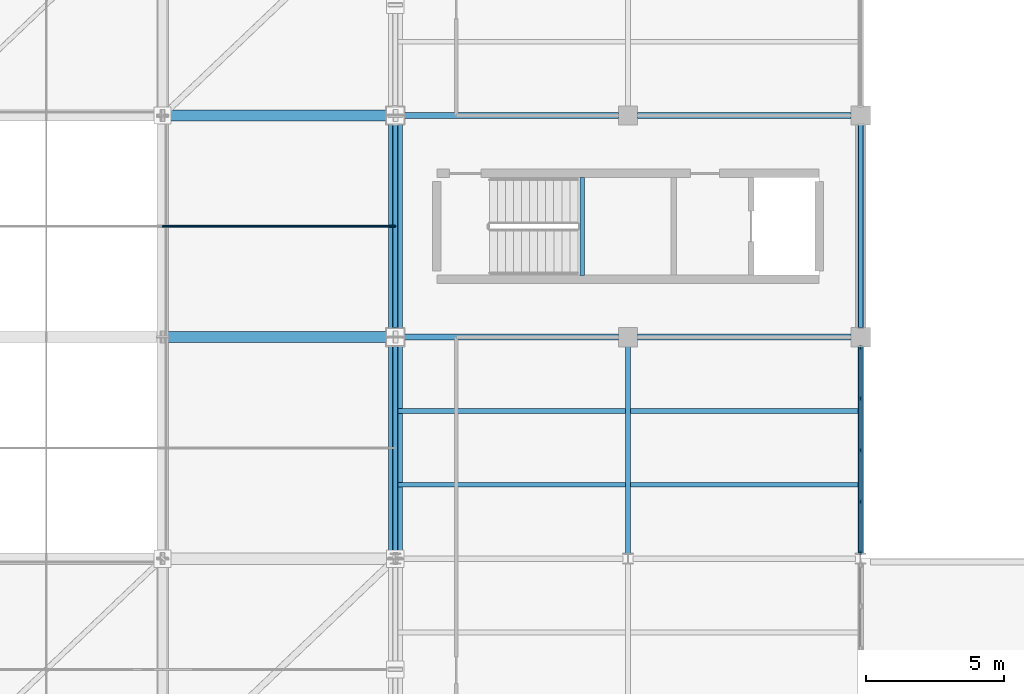
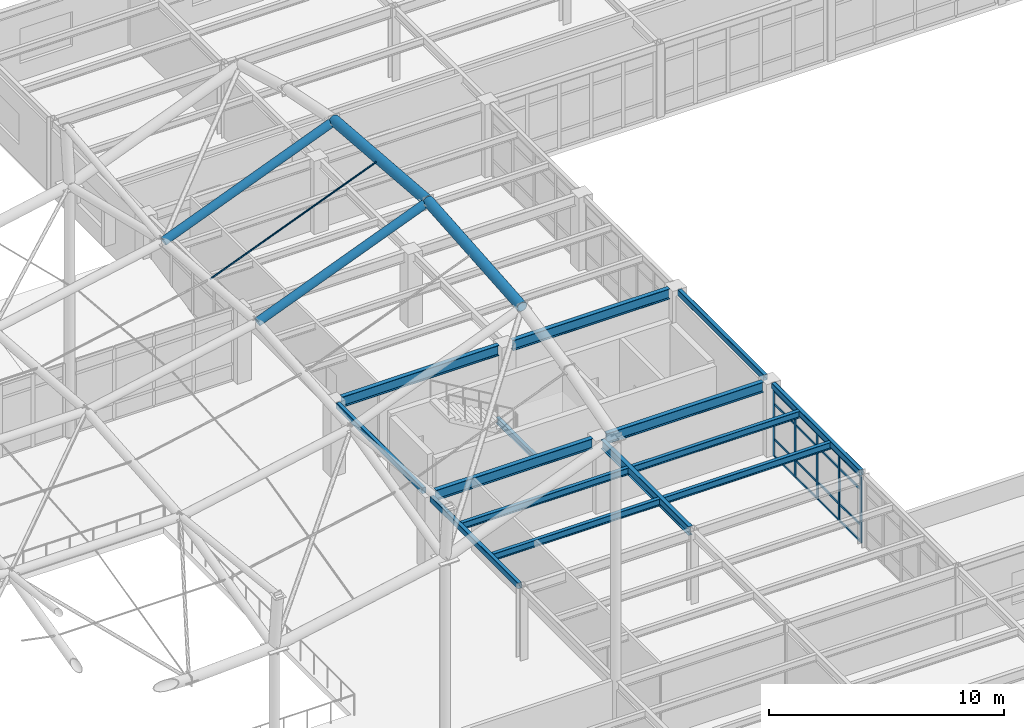
# One storey, part 46 of 138: 22 members, 18 beams, 1 element without a shape of its own.
"""IFC4 building model written with IfcOpenShell, lengths in metres."""

import ifcopenshell
import ifcopenshell.guid

model = None  # the IFC model being written
_history = None  # IfcOwnerHistory: only IFC2X3 demands one
_inside = {}  # id of a spatial element -> (the spatial element, [elements in it])
_under = {}  # id of a project, library or spatial element -> (it, [spatial elements below it])
_declared = {}  # id of a project -> (the project, [libraries it declares])
_typed = {}  # id of a type object -> (the type object, [elements of that type])
_made_of = {}  # id of a material, layer set ... -> (it, [elements and type objects made of it])


def new_model(schema):
    """Start an empty IFC model of exactly this schema.

    Asked for "IFC4X3", IfcOpenShell would pick the latest addendum, in which some entities
    have other attributes; the version numbers below select the first issue.
    IFC2X3 requires an IfcOwnerHistory on every rooted entity: one is made here for all.
    """
    global model, _history
    if schema == "IFC4X3":
        model = ifcopenshell.file(schema_version=(4, 3, 0, 0))
    else:
        model = ifcopenshell.file(schema=schema)
    _inside.clear()
    _under.clear()
    _declared.clear()
    _typed.clear()
    _made_of.clear()
    _history = None
    if model.schema == "IFC2X3":
        org = make("IfcOrganization", Name="unknown")
        user = make(
            "IfcPersonAndOrganization",
            ThePerson=make("IfcPerson", FamilyName="unknown"),
            TheOrganization=org,
        )
        app = make(
            "IfcApplication",
            ApplicationDeveloper=org,
            Version="unknown",
            ApplicationFullName="unknown",
            ApplicationIdentifier="unknown",
        )
        _history = make(
            "IfcOwnerHistory",
            OwningUser=user,
            OwningApplication=app,
            ChangeAction="ADDED",
            CreationDate=0,
        )
    return model


def make(cls, **values):
    """One entity of the class cls with the attributes given. An attribute that is None is left unset."""
    return model.create_entity(
        cls, **{name: value for name, value in values.items() if value is not None}
    )


def rooted(cls, **values):
    """An entity with a GlobalId (a new one), such as an element, a storey or a relation."""
    return make(cls, GlobalId=ifcopenshell.guid.new(), OwnerHistory=_history, **values)


def si_unit(unit_type, name, prefix=None):
    """IfcSIUnit, for example si_unit("LENGTHUNIT", "METRE", prefix="MILLI")."""
    return make("IfcSIUnit", UnitType=unit_type, Prefix=prefix, Name=name)


def assignment(units):
    """IfcUnitAssignment: the units of a project."""
    return None if units is None else make("IfcUnitAssignment", Units=units)


def point(xyz):
    """IfcCartesianPoint."""
    return None if xyz is None else make("IfcCartesianPoint", Coordinates=xyz)


def direction(xyz):
    """IfcDirection."""
    return None if xyz is None else make("IfcDirection", DirectionRatios=xyz)


def frame(location, z_axis=None, x_axis=None):
    """IfcAxis2Placement3D, a coordinate frame: its origin and axes. An axis left out is left unset."""
    return make(
        "IfcAxis2Placement3D",
        Location=point(location),
        Axis=direction(z_axis),
        RefDirection=direction(x_axis),
    )


def frame_2d(location, x_axis=None):
    """IfcAxis2Placement2D, a coordinate frame in the plane: its origin and x axis."""
    return make(
        "IfcAxis2Placement2D", Location=point(location), RefDirection=direction(x_axis)
    )


def origin():
    """The frame at (0, 0, 0) with its axes left unset."""
    return frame((0.0, 0.0, 0.0))


def origin_2d():
    """The frame at (0, 0) in the plane with its x axis left unset."""
    return frame_2d((0.0, 0.0))


def place(relative_to, where):
    """IfcLocalPlacement: puts the frame where relative to a parent placement (None: the world)."""
    return make(
        "IfcLocalPlacement", PlacementRelTo=relative_to, RelativePlacement=where
    )


def context(
    kind, dimensions, precision=None, world=None, true_north=None, identifier=None
):
    """IfcGeometricRepresentationContext, for example the 3D "Model" context."""
    return make(
        "IfcGeometricRepresentationContext",
        ContextIdentifier=identifier,
        ContextType=kind,
        CoordinateSpaceDimension=dimensions,
        Precision=precision,
        WorldCoordinateSystem=world,
        TrueNorth=true_north,
    )


def subcontext(parent, identifier, kind, view, scale=None):
    """IfcGeometricRepresentationSubContext, for example "Body" below "Model"."""
    return make(
        "IfcGeometricRepresentationSubContext",
        ContextIdentifier=identifier,
        ContextType=kind,
        ParentContext=parent,
        TargetScale=scale,
        TargetView=view,
    )


def project(units=None, contexts=None):
    """IfcProject with its units and contexts."""
    return rooted(
        "IfcProject",
        Name="project",
        RepresentationContexts=contexts,
        UnitsInContext=assignment(units),
    )


def spatial(cls, under=None, at=None, **own):
    """A site, building, storey or space (cls), placed at a placement, below another one or the project."""
    s = rooted(cls, ObjectPlacement=at, **own)
    if under is not None:
        _under.setdefault(under.id(), (under, []))[1].append(s)
    return s


def profile(cls, at=None, kind="AREA", **sizes):
    """A parametric profile (cls). Its sizes go by their IFC names, for example OverallWidth=200.0."""
    return make(cls, ProfileType=kind, Position=at, **sizes)


def rectangle(**sizes):
    """IfcRectangleProfileDef."""
    return profile("IfcRectangleProfileDef", **sizes)


def hollow_rectangle(**sizes):
    """IfcRectangleHollowProfileDef."""
    return profile("IfcRectangleHollowProfileDef", **sizes)


def circle(**sizes):
    """IfcCircleProfileDef."""
    return profile("IfcCircleProfileDef", **sizes)


def hollow_circle(**sizes):
    """IfcCircleHollowProfileDef."""
    return profile("IfcCircleHollowProfileDef", **sizes)


def i_section(**sizes):
    """IfcIShapeProfileDef."""
    return profile("IfcIShapeProfileDef", **sizes)


def extrude(swept, where, along, depth):
    """IfcExtrudedAreaSolid: the profile swept, set in the frame where, extruded along a direction by depth."""
    return make(
        "IfcExtrudedAreaSolid",
        SweptArea=swept,
        Position=where,
        ExtrudedDirection=direction(along),
        Depth=depth,
    )


def shape(context_of_items, identifier, shape_type, items):
    """IfcShapeRepresentation: the items that make up one representation, for example the "Body"."""
    return make(
        "IfcShapeRepresentation",
        ContextOfItems=context_of_items,
        RepresentationIdentifier=identifier,
        RepresentationType=shape_type,
        Items=items,
    )


def material(Name=None, Category=None):
    """IfcMaterial."""
    return make("IfcMaterial", Name=Name, Category=Category)


def layer(
    of_material, thickness, ventilated=None, Name=None, Category=None, Priority=None
):
    """IfcMaterialLayer: one layer of a wall or slab, of a material (None: an air gap)."""
    return make(
        "IfcMaterialLayer",
        Material=of_material,
        LayerThickness=thickness,
        IsVentilated=ventilated,
        Name=Name,
        Category=Category,
        Priority=Priority,
    )


def layer_set(layers, Name=None):
    """IfcMaterialLayerSet."""
    return make("IfcMaterialLayerSet", MaterialLayers=layers, LayerSetName=Name)


def material_profile(
    of_material, cross_section, Name=None, Category=None, Priority=None
):
    """IfcMaterialProfile: a cross section and its material."""
    return make(
        "IfcMaterialProfile",
        Name=Name,
        Material=of_material,
        Profile=cross_section,
        Priority=Priority,
        Category=Category,
    )


def profile_set(profiles, Name=None, composite=None):
    """IfcMaterialProfileSet."""
    return make(
        "IfcMaterialProfileSet",
        Name=Name,
        MaterialProfiles=profiles,
        CompositeProfile=composite,
    )


def made_of(thing, what):
    """Note that an element or type object is made of a material, layer set ...; save() writes the relation."""
    if what is not None:
        _made_of.setdefault(what.id(), (what, []))[1].append(thing)
    return thing


def type_object(cls, material=None, **own):
    """A type object (cls), such as IfcWallType, which elements share."""
    return made_of(rooted(cls, **own), material)


def element(
    cls,
    number,
    at=None,
    inside=None,
    cuts=None,
    type_object=None,
    material=None,
    context=None,
    identifier="Body",
    shape_type=None,
    held_by="IfcProductDefinitionShape",
    body=None,
    shapes=None,
    **own,
):
    """One element of the class cls, such as IfcWall. Its Tag is "e" and its number.

    at: its placement. inside: the storey or other place that contains it. cuts: it is an
    opening in that element (IfcRelVoidsElement). A single representation is given by context,
    identifier, shape_type and body (its items); several are given by shapes. held_by: the class
    of the entity that holds the representations. save() writes the other relations.
    """
    e = rooted(cls, Tag="e%d" % number, ObjectPlacement=at, **own)
    if body is not None:
        shapes = [shape(context, identifier, shape_type, body)]
    if shapes is not None:
        e.Representation = make(held_by, Representations=shapes)
    if inside is not None:
        _inside.setdefault(inside.id(), (inside, []))[1].append(e)
    if cuts is not None:
        rooted(
            "IfcRelVoidsElement", RelatingBuildingElement=cuts, RelatedOpeningElement=e
        )
    if type_object is not None:
        _typed.setdefault(type_object.id(), (type_object, []))[1].append(e)
    return made_of(e, material)


def aggregate(whole, parts):
    """IfcRelAggregates: a whole, such as a stair, and the parts it consists of."""
    return rooted("IfcRelAggregates", RelatingObject=whole, RelatedObjects=parts)


def save(model, path):
    """Write the relations noted so far, then the file.

    IfcRelAggregates (storeys below a building ...), IfcRelContainedInSpatialStructure (elements
    in a storey), IfcRelDefinesByType, IfcRelAssociatesMaterial and IfcRelDeclares: one each for
    every whole, place, type object, material and project.
    """
    for whole, parts in _under.values():
        aggregate(whole, parts)
    for where, things in _inside.values():
        rooted(
            "IfcRelContainedInSpatialStructure",
            RelatedElements=things,
            RelatingStructure=where,
        )
    for kind, things in _typed.values():
        rooted("IfcRelDefinesByType", RelatedObjects=things, RelatingType=kind)
    for what, things in _made_of.values():
        rooted("IfcRelAssociatesMaterial", RelatedObjects=things, RelatingMaterial=what)
    for by, libraries in _declared.values():
        rooted("IfcRelDeclares", RelatingContext=by, RelatedDefinitions=libraries)
    model.write(path)


model = new_model("IFC4")

# Units and contexts
model_context = context("Model", 3, precision=1e-05, world=origin(), true_north=direction((0.0, 1.0)))
body_context = subcontext(model_context, "Body", "Model", "MODEL_VIEW")
ifc_project = project(units=[si_unit("LENGTHUNIT", "METRE"), si_unit("AREAUNIT", "SQUARE_METRE"), si_unit("VOLUMEUNIT", "CUBIC_METRE"), si_unit("PLANEANGLEUNIT", "RADIAN"), si_unit("MASSUNIT", "GRAM", prefix="KILO")], contexts=[model_context])

# Site, building, storey
site_placement = place(None, origin())
site = spatial("IfcSite", under=ifc_project, at=site_placement, CompositionType="ELEMENT")
building_placement = place(site_placement, origin())
building = spatial("IfcBuilding", under=site, at=building_placement, Name="Kranzveld Transit Interchange", CompositionType="ELEMENT")
storey_placement = place(building_placement, frame((0.0, 0.0, 5.43994140625)))
storey = spatial("IfcBuildingStorey", under=building, at=storey_placement, Name="L01", CompositionType="ELEMENT", Elevation=5.43994140625)

# Beam
ifc_material_1 = material(Name="Steel S355JR", Category="steel")
ifc_material_profile_1 = material_profile(ifc_material_1, i_section(OverallWidth=0.19189453125, OverallDepth=0.46337890625, WebThickness=0.010498046875, FlangeThickness=0.017578125, FilletRadius=0.01025390625, at=origin_2d()), Name="UB 457x191x89")
ifc_profile_set_1 = profile_set([ifc_material_profile_1], Name="Steel S355JR")
beam_type_1 = type_object("IfcBeamType", Name="Beam Steel UB 457x191x89 S355JR", PredefinedType="BEAM", material=ifc_profile_set_1)
beam_1_placement = place(storey_placement, frame((109.199951171875, 64.17724609375, 3.568359375), z_axis=(0.0, 1.0, 0.0), x_axis=(-1.0, 0.0, 0.0)))
element("IfcBeam", 1, at=beam_1_placement, inside=storey, type_object=beam_type_1, Name="L01 Girder 14/J-K", PredefinedType="BEAM", context=body_context, shape_type="SweptSolid", body=[
    extrude(i_section(OverallWidth=0.19189453125, OverallDepth=0.46337890625, WebThickness=0.010498046875, FlangeThickness=0.017578125, FilletRadius=0.01025390625, at=origin_2d()), origin(), (0.0, 0.0, 1.0), 7.482666015625),
])

# Curtain wall, members
ifc_material_2 = material(Name="Bronze-anodised thermally broken aluminium", Category="aluminium")
ifc_layer = layer(ifc_material_2, 0.159912109375)
ifc_layer_set = layer_set([ifc_layer], Name="Bronze-anodised thermally broken aluminium")
curtain_wall_type = type_object("IfcCurtainWallType", Name="Bus Boarding Glazed Screen CW-3", PredefinedType="USERDEFINED", material=ifc_layer_set)
curtain_wall_placement = place(storey_placement, origin())
curtain_wall = element("IfcCurtainWall", 2, at=curtain_wall_placement, inside=storey, type_object=curtain_wall_type, Name="L01 Curtain Wall 15/J-15/K", ObjectType="CURTAIN WALL", PredefinedType="USERDEFINED")
ifc_material_3 = material(Name="Bronze-anodised thermally broken aluminium", Category="aluminium")
ifc_material_profile_2 = material_profile(ifc_material_3, rectangle(XDim=0.06005859375, YDim=0.14990234375, at=origin_2d()), Name="ALU MULLION 60x150")
ifc_profile_set_2 = profile_set([ifc_material_profile_2], Name="Bronze-anodised thermally broken aluminium")
member_type_1 = type_object("IfcMemberType", Name="Curtain Wall Mullion 60x150 Alu", PredefinedType="MULLION", material=ifc_profile_set_2)
member_1_placement = place(storey_placement, frame((117.60009765625, 64.21728515625, 0.0), z_axis=(0.0, 0.0, 1.0), x_axis=(-1.0, 0.0, 0.0)))
member_1 = element("IfcMember", 3, at=member_1_placement, type_object=member_type_1, Name="CW-3 mullion 1", PredefinedType="MULLION", context=body_context, shape_type="SweptSolid", body=[
    extrude(rectangle(XDim=0.06005859375, YDim=0.14990234375, at=origin_2d()), origin(), (0.0, 0.0, 1.0), 3.442138671875),
])
member_2_placement = place(storey_placement, frame((117.60009765625, 66.052978515625, 0.0), z_axis=(0.0, 0.0, 1.0), x_axis=(-1.0, 0.0, 0.0)))
member_2 = element("IfcMember", 4, at=member_2_placement, type_object=member_type_1, Name="CW-3 mullion 2", PredefinedType="MULLION", context=body_context, shape_type="SweptSolid", body=[
    extrude(rectangle(XDim=0.06005859375, YDim=0.14990234375, at=origin_2d()), origin(), (0.0, 0.0, 1.0), 3.442138671875),
])
member_3_placement = place(storey_placement, frame((117.60009765625, 67.918701171875, 0.0), z_axis=(0.0, 0.0, 1.0), x_axis=(-1.0, 0.0, 0.0)))
member_3 = element("IfcMember", 5, at=member_3_placement, type_object=member_type_1, Name="CW-3 mullion 3", PredefinedType="MULLION", context=body_context, shape_type="SweptSolid", body=[
    extrude(rectangle(XDim=0.06005859375, YDim=0.14990234375, at=origin_2d()), origin(), (0.0, 0.0, 1.0), 3.442138671875),
])
member_4_placement = place(storey_placement, frame((117.60009765625, 69.784423828125, 0.0), z_axis=(0.0, 0.0, 1.0), x_axis=(-1.0, 0.0, 0.0)))
member_4 = element("IfcMember", 6, at=member_4_placement, type_object=member_type_1, Name="CW-3 mullion 4", PredefinedType="MULLION", context=body_context, shape_type="SweptSolid", body=[
    extrude(rectangle(XDim=0.06005859375, YDim=0.14990234375, at=origin_2d()), origin(), (0.0, 0.0, 1.0), 3.442138671875),
])
member_5_placement = place(storey_placement, frame((117.60009765625, 71.6201171875, 0.0), z_axis=(0.0, 0.0, 1.0), x_axis=(-1.0, 0.0, 0.0)))
member_5 = element("IfcMember", 7, at=member_5_placement, type_object=member_type_1, Name="CW-3 mullion 5", PredefinedType="MULLION", context=body_context, shape_type="SweptSolid", body=[
    extrude(rectangle(XDim=0.06005859375, YDim=0.14990234375, at=origin_2d()), origin(), (0.0, 0.0, 1.0), 3.442138671875),
])
ifc_material_4 = material(Name="Bronze-anodised thermally broken aluminium", Category="aluminium")
ifc_material_profile_3 = material_profile(ifc_material_4, rectangle(XDim=0.06005859375, YDim=0.110107421875, at=origin_2d()), Name="ALU TRANSOM 60x110")
ifc_profile_set_3 = profile_set([ifc_material_profile_3], Name="Bronze-anodised thermally broken aluminium")
member_type_2 = type_object("IfcMemberType", Name="Curtain Wall Transom 60x110 Alu", PredefinedType="USERDEFINED", material=ifc_profile_set_3)
member_6_placement = place(storey_placement, frame((117.60009765625, 64.247314453125, 0.030029296875), z_axis=(0.0, 1.0, 0.0), x_axis=(-1.0, 0.0, 0.0)))
member_6 = element("IfcMember", 8, at=member_6_placement, type_object=member_type_2, Name="CW-3 transom 1.1", ObjectType="TRANSOM", PredefinedType="USERDEFINED", context=body_context, shape_type="SweptSolid", body=[
    extrude(rectangle(XDim=0.06005859375, YDim=0.110107421875, at=origin_2d()), origin(), (0.0, 0.0, 1.0), 1.775634765625),
])
member_7_placement = place(storey_placement, frame((117.60009765625, 64.247314453125, 0.900146484375), z_axis=(0.0, 1.0, 0.0), x_axis=(-1.0, 0.0, 0.0)))
member_7 = element("IfcMember", 9, at=member_7_placement, type_object=member_type_2, Name="CW-3 transom 1.2", ObjectType="TRANSOM", PredefinedType="USERDEFINED", context=body_context, shape_type="SweptSolid", body=[
    extrude(rectangle(XDim=0.06005859375, YDim=0.110107421875, at=origin_2d()), origin(), (0.0, 0.0, 1.0), 1.775634765625),
])
member_8_placement = place(storey_placement, frame((117.60009765625, 64.247314453125, 2.741943359375), z_axis=(0.0, 1.0, 0.0), x_axis=(-1.0, 0.0, 0.0)))
member_8 = element("IfcMember", 10, at=member_8_placement, type_object=member_type_2, Name="CW-3 transom 1.3", ObjectType="TRANSOM", PredefinedType="USERDEFINED", context=body_context, shape_type="SweptSolid", body=[
    extrude(rectangle(XDim=0.06005859375, YDim=0.110107421875, at=origin_2d()), origin(), (0.0, 0.0, 1.0), 1.775634765625),
])
member_9_placement = place(storey_placement, frame((117.60009765625, 64.247314453125, 3.412109375), z_axis=(0.0, 1.0, 0.0), x_axis=(-1.0, 0.0, 0.0)))
member_9 = element("IfcMember", 11, at=member_9_placement, type_object=member_type_2, Name="CW-3 transom 1.4", ObjectType="TRANSOM", PredefinedType="USERDEFINED", context=body_context, shape_type="SweptSolid", body=[
    extrude(rectangle(XDim=0.06005859375, YDim=0.110107421875, at=origin_2d()), origin(), (0.0, 0.0, 1.0), 1.775634765625),
])
member_10_placement = place(storey_placement, frame((117.60009765625, 66.0830078125, 0.030029296875), z_axis=(0.0, 1.0, 0.0), x_axis=(-1.0, 0.0, 0.0)))
member_10 = element("IfcMember", 12, at=member_10_placement, type_object=member_type_2, Name="CW-3 transom 2.1", ObjectType="TRANSOM", PredefinedType="USERDEFINED", context=body_context, shape_type="SweptSolid", body=[
    extrude(rectangle(XDim=0.06005859375, YDim=0.110107421875, at=origin_2d()), origin(), (0.0, 0.0, 1.0), 1.8056640625),
])
member_11_placement = place(storey_placement, frame((117.60009765625, 66.0830078125, 0.900146484375), z_axis=(0.0, 1.0, 0.0), x_axis=(-1.0, 0.0, 0.0)))
member_11 = element("IfcMember", 13, at=member_11_placement, type_object=member_type_2, Name="CW-3 transom 2.2", ObjectType="TRANSOM", PredefinedType="USERDEFINED", context=body_context, shape_type="SweptSolid", body=[
    extrude(rectangle(XDim=0.06005859375, YDim=0.110107421875, at=origin_2d()), origin(), (0.0, 0.0, 1.0), 1.8056640625),
])
member_12_placement = place(storey_placement, frame((117.60009765625, 66.0830078125, 2.741943359375), z_axis=(0.0, 1.0, 0.0), x_axis=(-1.0, 0.0, 0.0)))
member_12 = element("IfcMember", 14, at=member_12_placement, type_object=member_type_2, Name="CW-3 transom 2.3", ObjectType="TRANSOM", PredefinedType="USERDEFINED", context=body_context, shape_type="SweptSolid", body=[
    extrude(rectangle(XDim=0.06005859375, YDim=0.110107421875, at=origin_2d()), origin(), (0.0, 0.0, 1.0), 1.8056640625),
])
member_13_placement = place(storey_placement, frame((117.60009765625, 66.0830078125, 3.412109375), z_axis=(0.0, 1.0, 0.0), x_axis=(-1.0, 0.0, 0.0)))
member_13 = element("IfcMember", 15, at=member_13_placement, type_object=member_type_2, Name="CW-3 transom 2.4", ObjectType="TRANSOM", PredefinedType="USERDEFINED", context=body_context, shape_type="SweptSolid", body=[
    extrude(rectangle(XDim=0.06005859375, YDim=0.110107421875, at=origin_2d()), origin(), (0.0, 0.0, 1.0), 1.8056640625),
])
member_14_placement = place(storey_placement, frame((117.60009765625, 67.94873046875, 0.030029296875), z_axis=(0.0, 1.0, 0.0), x_axis=(-1.0, 0.0, 0.0)))
member_14 = element("IfcMember", 16, at=member_14_placement, type_object=member_type_2, Name="CW-3 transom 3.1", ObjectType="TRANSOM", PredefinedType="USERDEFINED", context=body_context, shape_type="SweptSolid", body=[
    extrude(rectangle(XDim=0.06005859375, YDim=0.110107421875, at=origin_2d()), origin(), (0.0, 0.0, 1.0), 1.8056640625),
])
member_15_placement = place(storey_placement, frame((117.60009765625, 67.94873046875, 0.900146484375), z_axis=(0.0, 1.0, 0.0), x_axis=(-1.0, 0.0, 0.0)))
member_15 = element("IfcMember", 17, at=member_15_placement, type_object=member_type_2, Name="CW-3 transom 3.2", ObjectType="TRANSOM", PredefinedType="USERDEFINED", context=body_context, shape_type="SweptSolid", body=[
    extrude(rectangle(XDim=0.06005859375, YDim=0.110107421875, at=origin_2d()), origin(), (0.0, 0.0, 1.0), 1.8056640625),
])
member_16_placement = place(storey_placement, frame((117.60009765625, 67.94873046875, 2.741943359375), z_axis=(0.0, 1.0, 0.0), x_axis=(-1.0, 0.0, 0.0)))
member_16 = element("IfcMember", 18, at=member_16_placement, type_object=member_type_2, Name="CW-3 transom 3.3", ObjectType="TRANSOM", PredefinedType="USERDEFINED", context=body_context, shape_type="SweptSolid", body=[
    extrude(rectangle(XDim=0.06005859375, YDim=0.110107421875, at=origin_2d()), origin(), (0.0, 0.0, 1.0), 1.8056640625),
])
member_17_placement = place(storey_placement, frame((117.60009765625, 67.94873046875, 3.412109375), z_axis=(0.0, 1.0, 0.0), x_axis=(-1.0, 0.0, 0.0)))
member_17 = element("IfcMember", 19, at=member_17_placement, type_object=member_type_2, Name="CW-3 transom 3.4", ObjectType="TRANSOM", PredefinedType="USERDEFINED", context=body_context, shape_type="SweptSolid", body=[
    extrude(rectangle(XDim=0.06005859375, YDim=0.110107421875, at=origin_2d()), origin(), (0.0, 0.0, 1.0), 1.8056640625),
])
member_18_placement = place(storey_placement, frame((117.60009765625, 69.814208984375, 0.030029296875), z_axis=(0.0, 1.0, 0.0), x_axis=(-1.0, 0.0, 0.0)))
member_18 = element("IfcMember", 20, at=member_18_placement, type_object=member_type_2, Name="CW-3 transom 4.1", ObjectType="TRANSOM", PredefinedType="USERDEFINED", context=body_context, shape_type="SweptSolid", body=[
    extrude(rectangle(XDim=0.06005859375, YDim=0.110107421875, at=origin_2d()), origin(), (0.0, 0.0, 1.0), 1.77587890625),
])
member_19_placement = place(storey_placement, frame((117.60009765625, 69.814208984375, 0.900146484375), z_axis=(0.0, 1.0, 0.0), x_axis=(-1.0, 0.0, 0.0)))
member_19 = element("IfcMember", 21, at=member_19_placement, type_object=member_type_2, Name="CW-3 transom 4.2", ObjectType="TRANSOM", PredefinedType="USERDEFINED", context=body_context, shape_type="SweptSolid", body=[
    extrude(rectangle(XDim=0.06005859375, YDim=0.110107421875, at=origin_2d()), origin(), (0.0, 0.0, 1.0), 1.77587890625),
])
member_20_placement = place(storey_placement, frame((117.60009765625, 69.814208984375, 2.741943359375), z_axis=(0.0, 1.0, 0.0), x_axis=(-1.0, 0.0, 0.0)))
member_20 = element("IfcMember", 22, at=member_20_placement, type_object=member_type_2, Name="CW-3 transom 4.3", ObjectType="TRANSOM", PredefinedType="USERDEFINED", context=body_context, shape_type="SweptSolid", body=[
    extrude(rectangle(XDim=0.06005859375, YDim=0.110107421875, at=origin_2d()), origin(), (0.0, 0.0, 1.0), 1.77587890625),
])
member_21_placement = place(storey_placement, frame((117.60009765625, 69.814208984375, 3.412109375), z_axis=(0.0, 1.0, 0.0), x_axis=(-1.0, 0.0, 0.0)))
member_21 = element("IfcMember", 23, at=member_21_placement, type_object=member_type_2, Name="CW-3 transom 4.4", ObjectType="TRANSOM", PredefinedType="USERDEFINED", context=body_context, shape_type="SweptSolid", body=[
    extrude(rectangle(XDim=0.06005859375, YDim=0.110107421875, at=origin_2d()), origin(), (0.0, 0.0, 1.0), 1.77587890625),
])
aggregate(curtain_wall, [member_1, member_2, member_3, member_4, member_5, member_6, member_7, member_8, member_9, member_10, member_11, member_12, member_13, member_14, member_15, member_16, member_17, member_18, member_19, member_20, member_21])

# Beams
ifc_material_5 = material(Name="Steel S355JR", Category="steel")
ifc_material_profile_4 = material_profile(ifc_material_5, hollow_rectangle(XDim=0.199951171875, YDim=0.300048828125, WallThickness=0.010009765625, InnerFilletRadius=0.014892578125, OuterFilletRadius=0.02490234375, at=origin_2d()), Name="RHS 300x200x10")
ifc_profile_set_4 = profile_set([ifc_material_profile_4], Name="Steel S355JR")
beam_type_2 = type_object("IfcBeamType", Name="Edge Spandrel RHS 300x200x10 S355JR", PredefinedType="SPANDREL", material=ifc_profile_set_4)
beam_2_placement = place(storey_placement, frame((100.800048828125, 64.17724609375, 3.650146484375), z_axis=(0.0, 1.0, 0.0), x_axis=(-1.0, 0.0, 0.0)))
element("IfcBeam", 24, at=beam_2_placement, inside=storey, type_object=beam_type_2, Name="L01 Girder 13/J-K", PredefinedType="SPANDREL", context=body_context, shape_type="SweptSolid", body=[
    extrude(hollow_rectangle(XDim=0.199951171875, YDim=0.300048828125, WallThickness=0.010009765625, InnerFilletRadius=0.014892578125, OuterFilletRadius=0.02490234375, at=origin_2d()), origin(), (0.0, 0.0, 1.0), 7.482666015625),
])
beam_3_placement = place(storey_placement, frame((100.800048828125, 72.340087890625, 3.650146484375), z_axis=(0.0, 1.0, 0.0), x_axis=(-1.0, 0.0, 0.0)))
element("IfcBeam", 25, at=beam_3_placement, inside=storey, type_object=beam_type_2, Name="L01 Girder 13/K-L", PredefinedType="SPANDREL", context=body_context, shape_type="SweptSolid", body=[
    extrude(hollow_rectangle(XDim=0.199951171875, YDim=0.300048828125, WallThickness=0.010009765625, InnerFilletRadius=0.014892578125, OuterFilletRadius=0.02490234375, at=origin_2d()), origin(), (0.0, 0.0, 1.0), 7.31982421875),
])
beam_4_placement = place(storey_placement, frame((117.60009765625, 64.17724609375, 3.650146484375), z_axis=(0.0, 1.0, 0.0), x_axis=(-1.0, 0.0, 0.0)))
element("IfcBeam", 26, at=beam_4_placement, inside=storey, type_object=beam_type_2, Name="L01 Girder 15/J-K", PredefinedType="SPANDREL", context=body_context, shape_type="SweptSolid", body=[
    extrude(hollow_rectangle(XDim=0.199951171875, YDim=0.300048828125, WallThickness=0.010009765625, InnerFilletRadius=0.014892578125, OuterFilletRadius=0.02490234375, at=origin_2d()), origin(), (0.0, 0.0, 1.0), 7.482666015625),
])
beam_5_placement = place(storey_placement, frame((117.60009765625, 72.340087890625, 3.650146484375), z_axis=(0.0, 1.0, 0.0), x_axis=(-1.0, 0.0, 0.0)))
element("IfcBeam", 27, at=beam_5_placement, inside=storey, type_object=beam_type_2, Name="L01 Girder 15/K-L", PredefinedType="SPANDREL", context=body_context, shape_type="SweptSolid", body=[
    extrude(hollow_rectangle(XDim=0.199951171875, YDim=0.300048828125, WallThickness=0.010009765625, InnerFilletRadius=0.014892578125, OuterFilletRadius=0.02490234375, at=origin_2d()), origin(), (0.0, 0.0, 1.0), 7.31982421875),
])
ifc_material_6 = material(Name="Steel S355JR", Category="steel")
ifc_material_profile_5 = material_profile(ifc_material_6, i_section(OverallWidth=0.172119140625, OverallDepth=0.35791015625, WebThickness=0.008056640625, FlangeThickness=0.012939453125, FilletRadius=0.01025390625, at=origin_2d()), Name="UB 356x171x57")
ifc_profile_set_5 = profile_set([ifc_material_profile_5], Name="Steel S355JR")
beam_type_3 = type_object("IfcBeamType", Name="Floor Joist UB 356x171x57 S355JR", PredefinedType="JOIST", material=ifc_profile_set_5)
for number, where, z_axis, x_axis, name in (
    (28, (100.902099609375, 66.666748046875, 3.62109375), (1.0, 0.0, 0.0), (0.0, 1.0, 0.0), "L01 Secondary Joist 13-14/J.1"),
    (29, (100.902099609375, 69.333251953125, 3.62109375), (1.0, 0.0, 0.0), (0.0, 1.0, 0.0), "L01 Secondary Joist 13-14/J.2"),
):
    element("IfcBeam", number, at=place(storey_placement, frame(where, z_axis=z_axis, x_axis=x_axis)), inside=storey, type_object=beam_type_3, Name=name, PredefinedType="JOIST", context=body_context, shape_type="SweptSolid", body=[
        extrude(i_section(OverallWidth=0.172119140625, OverallDepth=0.35791015625, WebThickness=0.008056640625, FlangeThickness=0.012939453125, FilletRadius=0.01025390625, at=origin_2d()), origin(), (0.0, 0.0, 1.0), 8.199951171875),
    ])
for number, where, z_axis, x_axis, name in (
    (30, (109.2978515625, 66.666748046875, 3.62109375), (1.0, 0.0, 0.0), (0.0, 1.0, 0.0), "L01 Secondary Joist 14-15/J.1"),
    (31, (109.2978515625, 69.333251953125, 3.62109375), (1.0, 0.0, 0.0), (0.0, 1.0, 0.0), "L01 Secondary Joist 14-15/J.2"),
):
    element("IfcBeam", number, at=place(storey_placement, frame(where, z_axis=z_axis, x_axis=x_axis)), inside=storey, type_object=beam_type_3, Name=name, PredefinedType="JOIST", context=body_context, shape_type="SweptSolid", body=[
        extrude(i_section(OverallWidth=0.172119140625, OverallDepth=0.35791015625, WebThickness=0.008056640625, FlangeThickness=0.012939453125, FilletRadius=0.01025390625, at=origin_2d()), origin(), (0.0, 0.0, 1.0), 8.2001953125),
    ])
ifc_material_7 = material(Name="Steel S355JR", Category="steel")
ifc_material_profile_6 = material_profile(ifc_material_7, i_section(OverallWidth=0.210693359375, OverallDepth=0.53955078125, WebThickness=0.01171875, FlangeThickness=0.018798828125, FilletRadius=0.0126953125, at=origin_2d()), Name="UB 533x210x109")
ifc_profile_set_6 = profile_set([ifc_material_profile_6], Name="Steel S355JR")
beam_type_4 = type_object("IfcBeamType", Name="Girder Steel UB 533x210x109 S355JR", PredefinedType="BEAM", material=ifc_profile_set_6)
beam_6_placement = place(storey_placement, frame((101.139892578125, 72.0, 3.5302734375), z_axis=(1.0, 0.0, 0.0), x_axis=(0.0, 1.0, 0.0)))
element("IfcBeam", 32, at=beam_6_placement, inside=storey, type_object=beam_type_4, Name="L01 Girder 13-14/K", PredefinedType="BEAM", context=body_context, shape_type="SweptSolid", body=[
    extrude(i_section(OverallWidth=0.210693359375, OverallDepth=0.53955078125, WebThickness=0.01171875, FlangeThickness=0.018798828125, FilletRadius=0.0126953125, at=origin_2d()), origin(), (0.0, 0.0, 1.0), 7.72021484375),
])
beam_7_placement = place(storey_placement, frame((109.5400390625, 72.0, 3.5302734375), z_axis=(1.0, 0.0, 0.0), x_axis=(0.0, 1.0, 0.0)))
element("IfcBeam", 33, at=beam_7_placement, inside=storey, type_object=beam_type_4, Name="L01 Girder 14-15/K", PredefinedType="BEAM", context=body_context, shape_type="SweptSolid", body=[
    extrude(i_section(OverallWidth=0.210693359375, OverallDepth=0.53955078125, WebThickness=0.01171875, FlangeThickness=0.018798828125, FilletRadius=0.0126953125, at=origin_2d()), origin(), (0.0, 0.0, 1.0), 7.719970703125),
])
beam_8_placement = place(storey_placement, frame((101.139892578125, 80.0, 3.5302734375), z_axis=(1.0, 0.0, 0.0), x_axis=(0.0, 1.0, 0.0)))
element("IfcBeam", 34, at=beam_8_placement, inside=storey, type_object=beam_type_4, Name="L01 Girder 13-14/L", PredefinedType="BEAM", context=body_context, shape_type="SweptSolid", body=[
    extrude(i_section(OverallWidth=0.210693359375, OverallDepth=0.53955078125, WebThickness=0.01171875, FlangeThickness=0.018798828125, FilletRadius=0.0126953125, at=origin_2d()), origin(), (0.0, 0.0, 1.0), 7.72021484375),
])
beam_9_placement = place(storey_placement, frame((109.5400390625, 80.0, 3.5302734375), z_axis=(1.0, 0.0, 0.0), x_axis=(0.0, 1.0, 0.0)))
element("IfcBeam", 35, at=beam_9_placement, inside=storey, type_object=beam_type_4, Name="L01 Girder 14-15/L", PredefinedType="BEAM", context=body_context, shape_type="SweptSolid", body=[
    extrude(i_section(OverallWidth=0.210693359375, OverallDepth=0.53955078125, WebThickness=0.01171875, FlangeThickness=0.018798828125, FilletRadius=0.0126953125, at=origin_2d()), origin(), (0.0, 0.0, 1.0), 7.719970703125),
])
ifc_material_8 = material(Name="Steel S355JR", Category="steel")
ifc_material_profile_7 = material_profile(ifc_material_8, hollow_circle(Radius=0.25390625, WallThickness=0.02001953125, at=origin_2d()), Name="CHS 508x20")
ifc_profile_set_7 = profile_set([ifc_material_profile_7], Name="Steel S355JR")
beam_type_5 = type_object("IfcBeamType", Name="Ring Beam Steel CHS 508x20 S355JR", PredefinedType="BEAM", material=ifc_profile_set_7)
for number, where, z_axis, x_axis, name in (
    (36, (100.800048828125, 64.0, 18.260009765625), (0.0, 0.996713998812, 0.081001262782), (-1.0, 0.0, 0.0), "Saddle Compression Ring Chord 13J-13K"),
    (37, (100.800048828125, 72.0, 18.91015625), (0.0, 0.996713998812, -0.081001262782), (-1.0, 0.0, 0.0), "Saddle Compression Ring Chord 13K-13L"),
):
    element("IfcBeam", number, at=place(storey_placement, frame(where, z_axis=z_axis, x_axis=x_axis)), inside=storey, type_object=beam_type_5, Name=name, PredefinedType="BEAM", context=body_context, shape_type="SweptSolid", body=[
        extrude(hollow_circle(Radius=0.25390625, WallThickness=0.02001953125, at=origin_2d()), origin(), (0.0, 0.0, 1.0), 8.0263671875),
    ])
ifc_material_9 = material(Name="Steel S355JR", Category="steel")
ifc_material_profile_8 = material_profile(ifc_material_9, i_section(OverallWidth=0.165771484375, OverallDepth=0.306640625, WebThickness=0.006591796875, FlangeThickness=0.01171875, FilletRadius=0.0087890625, at=origin_2d()), Name="UB 305x165x46")
ifc_profile_set_8 = profile_set([ifc_material_profile_8], Name="Steel S355JR")
beam_type_6 = type_object("IfcBeamType", Name="Roof Joist UB 305x165x46 S355JR", PredefinedType="JOIST", material=ifc_profile_set_8)
beam_10_placement = place(storey_placement, frame((107.550048828125, 74.22998046875, 1.686767578125), z_axis=(0.0, 1.0, 0.0), x_axis=(-1.0, 0.0, 0.0)))
element("IfcBeam", 38, at=beam_10_placement, inside=storey, type_object=beam_type_6, Name="L01 ST-V4A Half-Landing Support Beam", PredefinedType="BEAM", context=body_context, shape_type="SweptSolid", body=[
    extrude(i_section(OverallWidth=0.165771484375, OverallDepth=0.306640625, WebThickness=0.006591796875, FlangeThickness=0.01171875, FilletRadius=0.0087890625, at=origin_2d()), origin(), (0.0, 0.0, 1.0), 3.5400390625),
])
ifc_material_10 = material(Name="Steel S355JR", Category="steel")
ifc_material_profile_9 = material_profile(ifc_material_10, hollow_circle(Radius=0.203125, WallThickness=0.01611328125, at=origin_2d()), Name="CHS 406.4x16")
ifc_profile_set_9 = profile_set([ifc_material_profile_9], Name="Steel S355JR")
beam_type_7 = type_object("IfcBeamType", Name="Saddle Arch Rib CHS 406.4x16 S355JR", PredefinedType="BEAM", material=ifc_profile_set_9)
for number, where, z_axis, x_axis, name in (
    (39, (92.39990234375, 72.0, 15.552001953125), (0.92969040445, 0.0, 0.368341895355), (0.0, 1.0, 0.0), "Saddle Arch Rib 12-13/K"),
    (40, (92.39990234375, 80.0, 14.902099609375), (0.929699657216, 0.0, 0.368318540631), (0.0, 1.0, 0.0), "Saddle Arch Rib 12-13/L"),
):
    element("IfcBeam", number, at=place(storey_placement, frame(where, z_axis=z_axis, x_axis=x_axis)), inside=storey, type_object=beam_type_7, Name=name, PredefinedType="BEAM", context=body_context, shape_type="SweptSolid", body=[
        extrude(hollow_circle(Radius=0.203125, WallThickness=0.01611328125, at=origin_2d()), origin(), (0.0, 0.0, 1.0), 9.035400390625),
    ])

# Member
ifc_material_11 = material(Name="Steel S355JR", Category="steel")
ifc_material_profile_10 = material_profile(ifc_material_11, circle(Radius=0.031982421875, at=origin_2d()), Name="CABLE D64")
ifc_profile_set_10 = profile_set([ifc_material_profile_10], Name="Steel S355JR")
member_type_3 = type_object("IfcMemberType", Name="Saddle Carrying Cable D64 S355JR", PredefinedType="USERDEFINED", material=ifc_profile_set_10)
member_22_placement = place(storey_placement, frame((92.39990234375, 76.0, 15.36962890625), z_axis=(0.929699657216, 0.0, 0.368318540631), x_axis=(0.0, 1.0, 0.0)))
element("IfcMember", 41, at=member_22_placement, inside=storey, type_object=member_type_3, Name="Saddle Carrying Cable 12/L", ObjectType="CABLE", PredefinedType="USERDEFINED", context=body_context, shape_type="SweptSolid", body=[
    extrude(circle(Radius=0.031982421875, at=origin_2d()), origin(), (0.0, 0.0, 1.0), 9.035400390625),
])

save(model, "model.ifc")
